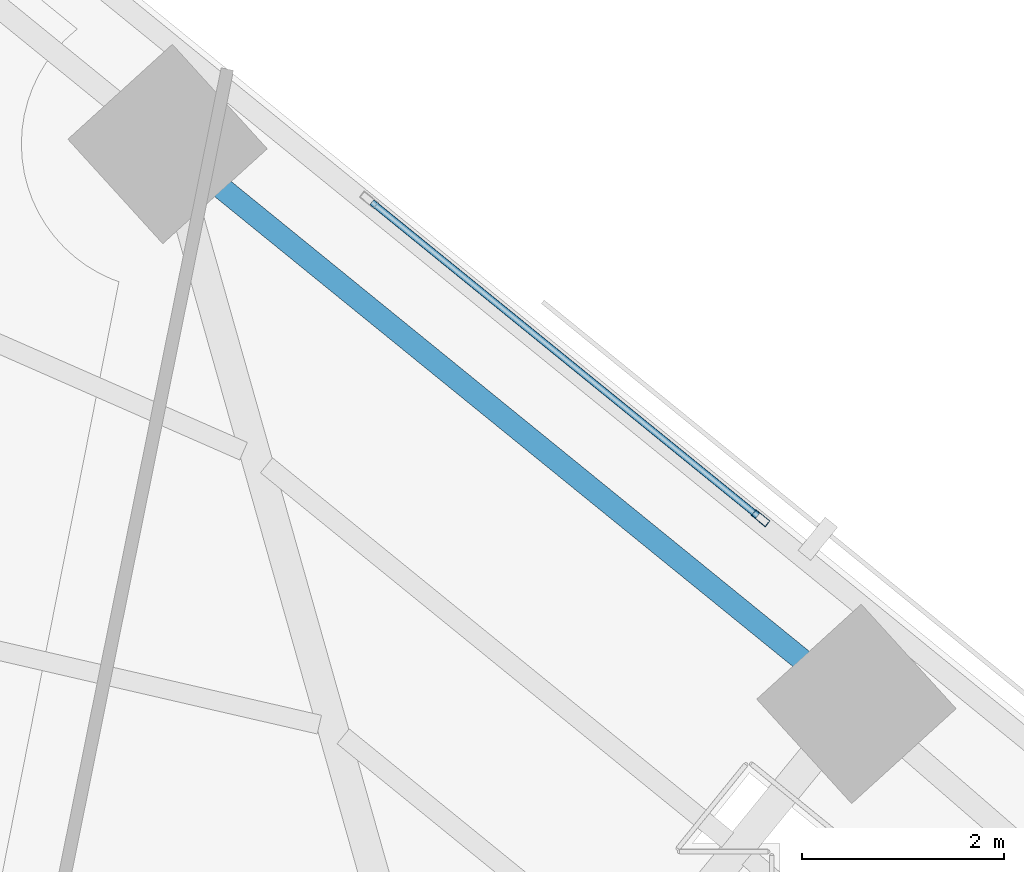
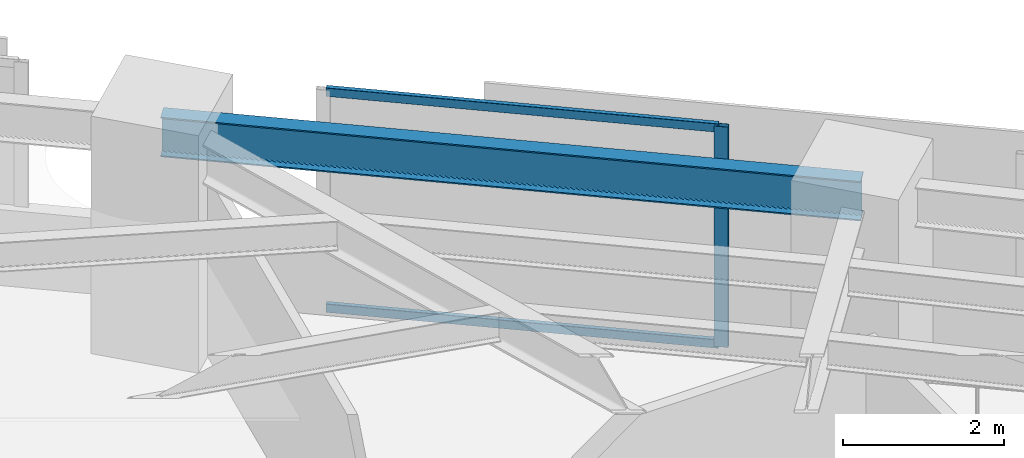
# One storey, part 11 of 17: 3 members, 1 beam, 1 element without a shape of its own.
"""IFC4 building model written with IfcOpenShell, lengths in metres."""

from ifc_helpers import new_model, si_unit, direction, frame, origin, origin_2d, place, context, subcontext, project, spatial, hollow_rectangle, i_section, extrude, material, material_profile, profile_set, type_object, element, aggregate, save


model = new_model("IFC4")

# Units and contexts
model_context = context("Model", 3, precision=1e-05, world=origin(), true_north=direction((0.0, 1.0)))
body_context = subcontext(model_context, "Body", "Model", "MODEL_VIEW")
ifc_project = project(units=[si_unit("LENGTHUNIT", "METRE"), si_unit("AREAUNIT", "SQUARE_METRE"), si_unit("VOLUMEUNIT", "CUBIC_METRE"), si_unit("PLANEANGLEUNIT", "RADIAN"), si_unit("MASSUNIT", "GRAM", prefix="KILO")], contexts=[model_context])

# Site, building, storey
site_placement = place(None, origin())
site = spatial("IfcSite", under=ifc_project, at=site_placement, CompositionType="ELEMENT")
building_placement = place(site_placement, origin())
building = spatial("IfcBuilding", under=site, at=building_placement, Name="Narakoshi Arena Tower", CompositionType="ELEMENT")
storey_placement = place(building_placement, frame((0.0, 0.0, 33.89990234375)))
storey = spatial("IfcBuildingStorey", under=building, at=storey_placement, Name="L08", CompositionType="ELEMENT", Elevation=33.89990234375)

# Beam
ifc_material_1 = material(Name="Structural steel S355J2", Category="steel")
ifc_material_profile_1 = material_profile(ifc_material_1, i_section(OverallWidth=0.219970703125, OverallDepth=0.60009765625, WebThickness=0.011962890625, FlangeThickness=0.01904296875, FilletRadius=0.02392578125, at=origin_2d()), Name="IPE600")
ifc_profile_set_1 = profile_set([ifc_material_profile_1], Name="Structural steel S355J2")
beam_type = type_object("IfcBeamType", Name="BM-EDGE-600", PredefinedType="BEAM", material=ifc_profile_set_1)
beam_placement = place(storey_placement, frame((89.459716796875, 61.28515625, 3.0400390625), z_axis=(-0.776011365227, 0.630718923958, 0.0), x_axis=(-0.630718923958, -0.776011365227, 0.0)))
element("IfcBeam", 1, at=beam_placement, inside=storey, type_object=beam_type, Name="L08 Perimeter Edge Girder 09", PredefinedType="BEAM", context=body_context, shape_type="SweptSolid", body=[
    extrude(i_section(OverallWidth=0.219970703125, OverallDepth=0.60009765625, WebThickness=0.011962890625, FlangeThickness=0.01904296875, FilletRadius=0.02392578125, at=origin_2d()), origin(), (0.0, 0.0, 1.0), 8.804931640625),
])

# Curtain wall, members
ifc_material_2 = material(Name="Anodised bronze aluminium 6063-T6", Category="aluminium")
curtain_wall_type = type_object("IfcCurtainWallType", Name="CW-HYP-LOW", PredefinedType="NOTDEFINED", material=ifc_material_2)
curtain_wall_placement = place(storey_placement, origin())
curtain_wall = element("IfcCurtainWall", 2, at=curtain_wall_placement, inside=storey, type_object=curtain_wall_type, Name="L08 Folded Hypotenuse Curtain Wall 2-2", PredefinedType="NOTDEFINED")
ifc_material_profile_2 = material_profile(ifc_material_2, hollow_rectangle(XDim=0.074951171875, YDim=0.179931640625, WallThickness=0.00390625, OuterFilletRadius=0.0048828125, at=origin_2d()), Name="MUL180x75x4")
ifc_profile_set_2 = profile_set([ifc_material_profile_2], Name="Anodised bronze aluminium 6063-T6")
member_type_1 = type_object("IfcMemberType", Name="MEM-MUL-180", PredefinedType="MULLION", material=ifc_profile_set_2)
member_1_placement = place(storey_placement, frame((88.509521484375, 63.126953125, 0.0), z_axis=(0.0, 0.0, 1.0), x_axis=(-0.630734833051, -0.775998434519, 0.0)))
member_1 = element("IfcMember", 3, at=member_1_placement, type_object=member_type_1, Name="CW-01 mullion 1", PredefinedType="MULLION", context=body_context, shape_type="SweptSolid", body=[
    extrude(hollow_rectangle(XDim=0.074951171875, YDim=0.179931640625, WallThickness=0.00390625, OuterFilletRadius=0.0048828125, at=origin_2d()), origin(), (0.0, 0.0, 1.0), 3.340087890625),
])
ifc_material_profile_3 = material_profile(ifc_material_2, hollow_rectangle(XDim=0.06494140625, YDim=0.1298828125, WallThickness=0.00390625, OuterFilletRadius=0.0048828125, at=origin_2d()), Name="TRN130x65x4")
ifc_profile_set_3 = profile_set([ifc_material_profile_3], Name="Anodised bronze aluminium 6063-T6")
member_type_2 = type_object("IfcMemberType", Name="MEM-TRN-130", PredefinedType="USERDEFINED", material=ifc_profile_set_3)
member_2_placement = place(storey_placement, frame((88.48046875, 63.150634765625, 0.03271484375), z_axis=(-0.776001951686, 0.630730505826, 0.0), x_axis=(-0.630730505826, -0.776001951686, 0.0)))
member_2 = element("IfcMember", 4, at=member_2_placement, type_object=member_type_2, Name="CW-01 transom 1.1", ObjectType="TRANSOM", PredefinedType="USERDEFINED", context=body_context, shape_type="SweptSolid", body=[
    extrude(hollow_rectangle(XDim=0.06494140625, YDim=0.1298828125, WallThickness=0.00390625, OuterFilletRadius=0.0048828125, at=origin_2d()), origin(), (0.0, 0.0, 1.0), 4.9326171875),
])
member_3_placement = place(storey_placement, frame((88.48046875, 63.150634765625, 3.3076171875), z_axis=(-0.776001951686, 0.630730505826, 0.0), x_axis=(-0.630730505826, -0.776001951686, 0.0)))
member_3 = element("IfcMember", 5, at=member_3_placement, type_object=member_type_2, Name="CW-01 transom 1.2", ObjectType="TRANSOM", PredefinedType="USERDEFINED", context=body_context, shape_type="SweptSolid", body=[
    extrude(hollow_rectangle(XDim=0.06494140625, YDim=0.1298828125, WallThickness=0.00390625, OuterFilletRadius=0.0048828125, at=origin_2d()), origin(), (0.0, 0.0, 1.0), 4.9326171875),
])
aggregate(curtain_wall, [member_1, member_2, member_3])

save(model, "model.ifc")
